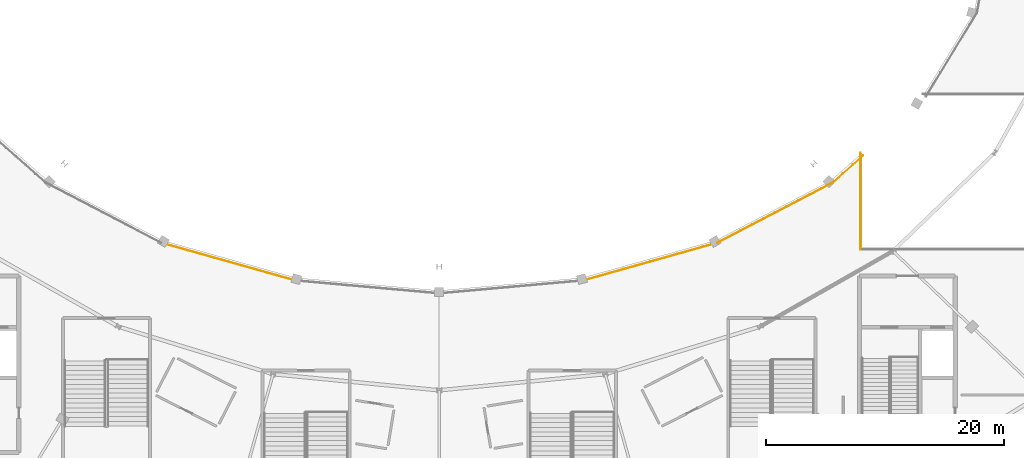
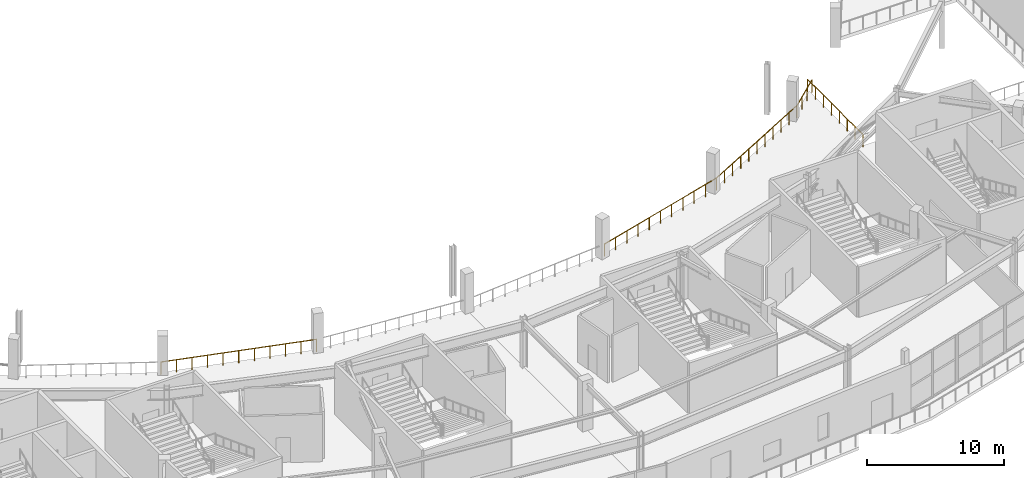
# One storey, part 110 of 123: 5 railings.
"""IFC4 building model written with IfcOpenShell, lengths in metres."""

import ifcopenshell
import ifcopenshell.guid

model = None  # the IFC model being written
_history = None  # IfcOwnerHistory: only IFC2X3 demands one
_inside = {}  # id of a spatial element -> (the spatial element, [elements in it])
_under = {}  # id of a project, library or spatial element -> (it, [spatial elements below it])
_declared = {}  # id of a project -> (the project, [libraries it declares])
_typed = {}  # id of a type object -> (the type object, [elements of that type])
_made_of = {}  # id of a material, layer set ... -> (it, [elements and type objects made of it])


def new_model(schema):
    """Start an empty IFC model of exactly this schema.

    Asked for "IFC4X3", IfcOpenShell would pick the latest addendum, in which some entities
    have other attributes; the version numbers below select the first issue.
    IFC2X3 requires an IfcOwnerHistory on every rooted entity: one is made here for all.
    """
    global model, _history
    if schema == "IFC4X3":
        model = ifcopenshell.file(schema_version=(4, 3, 0, 0))
    else:
        model = ifcopenshell.file(schema=schema)
    _inside.clear()
    _under.clear()
    _declared.clear()
    _typed.clear()
    _made_of.clear()
    _history = None
    if model.schema == "IFC2X3":
        org = make("IfcOrganization", Name="unknown")
        user = make(
            "IfcPersonAndOrganization",
            ThePerson=make("IfcPerson", FamilyName="unknown"),
            TheOrganization=org,
        )
        app = make(
            "IfcApplication",
            ApplicationDeveloper=org,
            Version="unknown",
            ApplicationFullName="unknown",
            ApplicationIdentifier="unknown",
        )
        _history = make(
            "IfcOwnerHistory",
            OwningUser=user,
            OwningApplication=app,
            ChangeAction="ADDED",
            CreationDate=0,
        )
    return model


def make(cls, **values):
    """One entity of the class cls with the attributes given. An attribute that is None is left unset."""
    return model.create_entity(
        cls, **{name: value for name, value in values.items() if value is not None}
    )


def rooted(cls, **values):
    """An entity with a GlobalId (a new one), such as an element, a storey or a relation."""
    return make(cls, GlobalId=ifcopenshell.guid.new(), OwnerHistory=_history, **values)


def si_unit(unit_type, name, prefix=None):
    """IfcSIUnit, for example si_unit("LENGTHUNIT", "METRE", prefix="MILLI")."""
    return make("IfcSIUnit", UnitType=unit_type, Prefix=prefix, Name=name)


def assignment(units):
    """IfcUnitAssignment: the units of a project."""
    return None if units is None else make("IfcUnitAssignment", Units=units)


def point(xyz):
    """IfcCartesianPoint."""
    return None if xyz is None else make("IfcCartesianPoint", Coordinates=xyz)


def direction(xyz):
    """IfcDirection."""
    return None if xyz is None else make("IfcDirection", DirectionRatios=xyz)


def frame(location, z_axis=None, x_axis=None):
    """IfcAxis2Placement3D, a coordinate frame: its origin and axes. An axis left out is left unset."""
    return make(
        "IfcAxis2Placement3D",
        Location=point(location),
        Axis=direction(z_axis),
        RefDirection=direction(x_axis),
    )


def frame_2d(location, x_axis=None):
    """IfcAxis2Placement2D, a coordinate frame in the plane: its origin and x axis."""
    return make(
        "IfcAxis2Placement2D", Location=point(location), RefDirection=direction(x_axis)
    )


def origin():
    """The frame at (0, 0, 0) with its axes left unset."""
    return frame((0.0, 0.0, 0.0))


def origin_2d():
    """The frame at (0, 0) in the plane with its x axis left unset."""
    return frame_2d((0.0, 0.0))


def place(relative_to, where):
    """IfcLocalPlacement: puts the frame where relative to a parent placement (None: the world)."""
    return make(
        "IfcLocalPlacement", PlacementRelTo=relative_to, RelativePlacement=where
    )


def context(
    kind, dimensions, precision=None, world=None, true_north=None, identifier=None
):
    """IfcGeometricRepresentationContext, for example the 3D "Model" context."""
    return make(
        "IfcGeometricRepresentationContext",
        ContextIdentifier=identifier,
        ContextType=kind,
        CoordinateSpaceDimension=dimensions,
        Precision=precision,
        WorldCoordinateSystem=world,
        TrueNorth=true_north,
    )


def subcontext(parent, identifier, kind, view, scale=None):
    """IfcGeometricRepresentationSubContext, for example "Body" below "Model"."""
    return make(
        "IfcGeometricRepresentationSubContext",
        ContextIdentifier=identifier,
        ContextType=kind,
        ParentContext=parent,
        TargetScale=scale,
        TargetView=view,
    )


def project(units=None, contexts=None):
    """IfcProject with its units and contexts."""
    return rooted(
        "IfcProject",
        Name="project",
        RepresentationContexts=contexts,
        UnitsInContext=assignment(units),
    )


def spatial(cls, under=None, at=None, **own):
    """A site, building, storey or space (cls), placed at a placement, below another one or the project."""
    s = rooted(cls, ObjectPlacement=at, **own)
    if under is not None:
        _under.setdefault(under.id(), (under, []))[1].append(s)
    return s


def profile(cls, at=None, kind="AREA", **sizes):
    """A parametric profile (cls). Its sizes go by their IFC names, for example OverallWidth=200.0."""
    return make(cls, ProfileType=kind, Position=at, **sizes)


def circle(**sizes):
    """IfcCircleProfileDef."""
    return profile("IfcCircleProfileDef", **sizes)


def extrude(swept, where, along, depth):
    """IfcExtrudedAreaSolid: the profile swept, set in the frame where, extruded along a direction by depth."""
    return make(
        "IfcExtrudedAreaSolid",
        SweptArea=swept,
        Position=where,
        ExtrudedDirection=direction(along),
        Depth=depth,
    )


def shape(context_of_items, identifier, shape_type, items):
    """IfcShapeRepresentation: the items that make up one representation, for example the "Body"."""
    return make(
        "IfcShapeRepresentation",
        ContextOfItems=context_of_items,
        RepresentationIdentifier=identifier,
        RepresentationType=shape_type,
        Items=items,
    )


def material(Name=None, Category=None):
    """IfcMaterial."""
    return make("IfcMaterial", Name=Name, Category=Category)


def made_of(thing, what):
    """Note that an element or type object is made of a material, layer set ...; save() writes the relation."""
    if what is not None:
        _made_of.setdefault(what.id(), (what, []))[1].append(thing)
    return thing


def type_object(cls, material=None, **own):
    """A type object (cls), such as IfcWallType, which elements share."""
    return made_of(rooted(cls, **own), material)


def element(
    cls,
    number,
    at=None,
    inside=None,
    cuts=None,
    type_object=None,
    material=None,
    context=None,
    identifier="Body",
    shape_type=None,
    held_by="IfcProductDefinitionShape",
    body=None,
    shapes=None,
    **own,
):
    """One element of the class cls, such as IfcWall. Its Tag is "e" and its number.

    at: its placement. inside: the storey or other place that contains it. cuts: it is an
    opening in that element (IfcRelVoidsElement). A single representation is given by context,
    identifier, shape_type and body (its items); several are given by shapes. held_by: the class
    of the entity that holds the representations. save() writes the other relations.
    """
    e = rooted(cls, Tag="e%d" % number, ObjectPlacement=at, **own)
    if body is not None:
        shapes = [shape(context, identifier, shape_type, body)]
    if shapes is not None:
        e.Representation = make(held_by, Representations=shapes)
    if inside is not None:
        _inside.setdefault(inside.id(), (inside, []))[1].append(e)
    if cuts is not None:
        rooted(
            "IfcRelVoidsElement", RelatingBuildingElement=cuts, RelatedOpeningElement=e
        )
    if type_object is not None:
        _typed.setdefault(type_object.id(), (type_object, []))[1].append(e)
    return made_of(e, material)


def aggregate(whole, parts):
    """IfcRelAggregates: a whole, such as a stair, and the parts it consists of."""
    return rooted("IfcRelAggregates", RelatingObject=whole, RelatedObjects=parts)


def save(model, path):
    """Write the relations noted so far, then the file.

    IfcRelAggregates (storeys below a building ...), IfcRelContainedInSpatialStructure (elements
    in a storey), IfcRelDefinesByType, IfcRelAssociatesMaterial and IfcRelDeclares: one each for
    every whole, place, type object, material and project.
    """
    for whole, parts in _under.values():
        aggregate(whole, parts)
    for where, things in _inside.values():
        rooted(
            "IfcRelContainedInSpatialStructure",
            RelatedElements=things,
            RelatingStructure=where,
        )
    for kind, things in _typed.values():
        rooted("IfcRelDefinesByType", RelatedObjects=things, RelatingType=kind)
    for what, things in _made_of.values():
        rooted("IfcRelAssociatesMaterial", RelatedObjects=things, RelatingMaterial=what)
    for by, libraries in _declared.values():
        rooted("IfcRelDeclares", RelatingContext=by, RelatedDefinitions=libraries)
    model.write(path)


model = new_model("IFC4")

# Units and contexts
model_context = context("Model", 3, precision=1e-05, world=origin(), true_north=direction((0.0, 1.0)))
body_context = subcontext(model_context, "Body", "Model", "MODEL_VIEW")
ifc_project = project(units=[si_unit("LENGTHUNIT", "METRE"), si_unit("AREAUNIT", "SQUARE_METRE"), si_unit("VOLUMEUNIT", "CUBIC_METRE"), si_unit("PLANEANGLEUNIT", "RADIAN"), si_unit("MASSUNIT", "GRAM", prefix="KILO")], contexts=[model_context])

# Site, building, storey
site_placement = place(None, origin())
site = spatial("IfcSite", under=ifc_project, at=site_placement, CompositionType="ELEMENT")
building_placement = place(site_placement, origin())
building = spatial("IfcBuilding", under=site, at=building_placement, Name="Kalgoora Escarpment Arena", CompositionType="ELEMENT")
storey_placement = place(building_placement, frame((0.0, 0.0, 9.89990234375)))
storey = spatial("IfcBuildingStorey", under=building, at=storey_placement, Name="L02", CompositionType="ELEMENT", Elevation=9.89990234375)

# Railings
ifc_material = material(Name="Galvanised & powdercoated tubular steel", Category="steel")
railing_type = type_object("IfcRailingType", Name="RAL-GUARD-1120", PredefinedType="GUARDRAIL", material=ifc_material)
railing_1_placement = place(storey_placement, frame((68.97509765625, 36.4169921875, 0.0)))
element("IfcRailing", 1, at=railing_1_placement, inside=storey, type_object=railing_type, Name="L02 concourse bowl balustrade 17", PredefinedType="GUARDRAIL", context=body_context, shape_type="SweptSolid", body=[
    extrude(circle(Radius=0.02392578125, at=origin_2d()), frame((0.0, 0.0, 1.09619140625), z_axis=(0.962568569832, -0.271038278425, 0.0), x_axis=(0.271038278425, 0.962568569832, 0.0)), (0.0, 0.0, 1.0), 11.73876953125),
    extrude(circle(Radius=0.02099609375, at=origin_2d()), origin(), (0.0, 0.0, 1.0), 1.072021484375),
    extrude(circle(Radius=0.02099609375, at=origin_2d()), frame((1.1298828125, -0.318115234375, 0.0)), (0.0, 0.0, 1.0), 1.072021484375),
    extrude(circle(Radius=0.02099609375, at=origin_2d()), frame((2.259765625, -0.63623046875, 0.0)), (0.0, 0.0, 1.0), 1.072021484375),
    extrude(circle(Radius=0.02099609375, at=origin_2d()), frame((3.389892578125, -0.95458984375, 0.0)), (0.0, 0.0, 1.0), 1.072021484375),
    extrude(circle(Radius=0.02099609375, at=origin_2d()), frame((4.519775390625, -1.272705078125, 0.0)), (0.0, 0.0, 1.0), 1.072021484375),
    extrude(circle(Radius=0.02099609375, at=origin_2d()), frame((5.649658203125, -1.5908203125, 0.0)), (0.0, 0.0, 1.0), 1.072021484375),
    extrude(circle(Radius=0.02099609375, at=origin_2d()), frame((6.779541015625, -1.908935546875, 0.0)), (0.0, 0.0, 1.0), 1.072021484375),
    extrude(circle(Radius=0.02099609375, at=origin_2d()), frame((7.909423828125, -2.22705078125, 0.0)), (0.0, 0.0, 1.0), 1.072021484375),
    extrude(circle(Radius=0.02099609375, at=origin_2d()), frame((9.03955078125, -2.54541015625, 0.0)), (0.0, 0.0, 1.0), 1.072021484375),
    extrude(circle(Radius=0.02099609375, at=origin_2d()), frame((10.16943359375, -2.863525390625, 0.0)), (0.0, 0.0, 1.0), 1.072021484375),
    extrude(circle(Radius=0.02099609375, at=origin_2d()), frame((11.29931640625, -3.181640625, 0.0)), (0.0, 0.0, 1.0), 1.072021484375),
])
railing_2_placement = place(storey_placement, frame((104.525634765625, 33.2353515625, 0.0)))
element("IfcRailing", 2, at=railing_2_placement, inside=storey, type_object=railing_type, Name="L02 concourse bowl balustrade 20", PredefinedType="GUARDRAIL", context=body_context, shape_type="SweptSolid", body=[
    extrude(circle(Radius=0.02392578125, at=origin_2d()), frame((0.0, 0.0, 1.09619140625), z_axis=(0.962568569832, 0.271038278425, 0.0), x_axis=(-0.271038278425, 0.962568569832, 0.0)), (0.0, 0.0, 1.0), 11.73876953125),
    extrude(circle(Radius=0.02099609375, at=origin_2d()), origin(), (0.0, 0.0, 1.0), 1.072021484375),
    extrude(circle(Radius=0.02099609375, at=origin_2d()), frame((1.1298828125, 0.318115234375, 0.0)), (0.0, 0.0, 1.0), 1.072021484375),
    extrude(circle(Radius=0.02099609375, at=origin_2d()), frame((2.259765625, 0.63623046875, 0.0)), (0.0, 0.0, 1.0), 1.072021484375),
    extrude(circle(Radius=0.02099609375, at=origin_2d()), frame((3.389892578125, 0.95458984375, 0.0)), (0.0, 0.0, 1.0), 1.072021484375),
    extrude(circle(Radius=0.02099609375, at=origin_2d()), frame((4.519775390625, 1.272705078125, 0.0)), (0.0, 0.0, 1.0), 1.072021484375),
    extrude(circle(Radius=0.02099609375, at=origin_2d()), frame((5.649658203125, 1.5908203125, 0.0)), (0.0, 0.0, 1.0), 1.072021484375),
    extrude(circle(Radius=0.02099609375, at=origin_2d()), frame((6.779541015625, 1.908935546875, 0.0)), (0.0, 0.0, 1.0), 1.072021484375),
    extrude(circle(Radius=0.02099609375, at=origin_2d()), frame((7.909423828125, 2.22705078125, 0.0)), (0.0, 0.0, 1.0), 1.072021484375),
    extrude(circle(Radius=0.02099609375, at=origin_2d()), frame((9.03955078125, 2.54541015625, 0.0)), (0.0, 0.0, 1.0), 1.072021484375),
    extrude(circle(Radius=0.02099609375, at=origin_2d()), frame((10.16943359375, 2.863525390625, 0.0)), (0.0, 0.0, 1.0), 1.072021484375),
    extrude(circle(Radius=0.02099609375, at=origin_2d()), frame((11.29931640625, 3.181640625, 0.0)), (0.0, 0.0, 1.0), 1.072021484375),
])
railing_3_placement = place(storey_placement, frame((115.824951171875, 36.4169921875, 0.0)))
element("IfcRailing", 3, at=railing_3_placement, inside=storey, type_object=railing_type, Name="L02 concourse bowl balustrade 21", PredefinedType="GUARDRAIL", context=body_context, shape_type="SweptSolid", body=[
    extrude(circle(Radius=0.02392578125, at=origin_2d()), frame((0.0, 0.0, 1.09619140625), z_axis=(0.886621438299, 0.462495865007, 0.0), x_axis=(-0.462495865007, 0.886621438299, 0.0)), (0.0, 0.0, 1.0), 10.94384765625),
    extrude(circle(Radius=0.02099609375, at=origin_2d()), origin(), (0.0, 0.0, 1.0), 1.072021484375),
    extrude(circle(Radius=0.02099609375, at=origin_2d()), frame((0.97021484375, 0.506103515625, 0.0)), (0.0, 0.0, 1.0), 1.072021484375),
    extrude(circle(Radius=0.02099609375, at=origin_2d()), frame((1.940673828125, 1.01220703125, 0.0)), (0.0, 0.0, 1.0), 1.072021484375),
    extrude(circle(Radius=0.02099609375, at=origin_2d()), frame((2.910888671875, 1.5185546875, 0.0)), (0.0, 0.0, 1.0), 1.072021484375),
    extrude(circle(Radius=0.02099609375, at=origin_2d()), frame((3.88134765625, 2.024658203125, 0.0)), (0.0, 0.0, 1.0), 1.072021484375),
    extrude(circle(Radius=0.02099609375, at=origin_2d()), frame((4.8515625, 2.53076171875, 0.0)), (0.0, 0.0, 1.0), 1.072021484375),
    extrude(circle(Radius=0.02099609375, at=origin_2d()), frame((5.82177734375, 3.036865234375, 0.0)), (0.0, 0.0, 1.0), 1.072021484375),
    extrude(circle(Radius=0.02099609375, at=origin_2d()), frame((6.792236328125, 3.54296875, 0.0)), (0.0, 0.0, 1.0), 1.072021484375),
    extrude(circle(Radius=0.02099609375, at=origin_2d()), frame((7.762451171875, 4.04931640625, 0.0)), (0.0, 0.0, 1.0), 1.072021484375),
    extrude(circle(Radius=0.02099609375, at=origin_2d()), frame((8.73291015625, 4.555419921875, 0.0)), (0.0, 0.0, 1.0), 1.072021484375),
    extrude(circle(Radius=0.02099609375, at=origin_2d()), frame((9.703125, 5.0615234375, 0.0)), (0.0, 0.0, 1.0), 1.072021484375),
])
railing_4_placement = place(storey_placement, frame((125.528076171875, 41.478515625, 0.0)))
element("IfcRailing", 4, at=railing_4_placement, inside=storey, type_object=railing_type, Name="L02 concourse bowl balustrade 22", PredefinedType="GUARDRAIL", context=body_context, shape_type="SweptSolid", body=[
    extrude(circle(Radius=0.02392578125, at=origin_2d()), frame((0.0, 0.0, 1.09619140625), z_axis=(0.74849475117, 0.663140714683, 0.0), x_axis=(-0.663140714683, 0.74849475117, 0.0)), (0.0, 0.0, 1.0), 3.409423828125),
    extrude(circle(Radius=0.02099609375, at=origin_2d()), origin(), (0.0, 0.0, 1.0), 1.072021484375),
    extrude(circle(Radius=0.02099609375, at=origin_2d()), frame((0.8505859375, 0.753662109375, 0.0)), (0.0, 0.0, 1.0), 1.072021484375),
    extrude(circle(Radius=0.02099609375, at=origin_2d()), frame((1.701416015625, 1.50732421875, 0.0)), (0.0, 0.0, 1.0), 1.072021484375),
    extrude(circle(Radius=0.02099609375, at=origin_2d()), frame((2.552001953125, 2.260986328125, 0.0)), (0.0, 0.0, 1.0), 1.072021484375),
])
railing_5_placement = place(storey_placement, frame((127.85009765625, 43.970458984375, 0.0)))
element("IfcRailing", 5, at=railing_5_placement, inside=storey, type_object=railing_type, Name="L02 practice court void balustrade W", PredefinedType="GUARDRAIL", context=body_context, shape_type="SweptSolid", body=[
    extrude(circle(Radius=0.02392578125, at=origin_2d()), frame((0.0, 0.0, 1.09619140625), z_axis=(0.0, -1.0, 0.0), x_axis=(1.0, 0.0, 0.0)), (0.0, 0.0, 1.0), 8.120361328125),
    extrude(circle(Radius=0.02099609375, at=origin_2d()), origin(), (0.0, 0.0, 1.0), 1.072021484375),
    extrude(circle(Radius=0.02099609375, at=origin_2d()), frame((0.0, -1.16015625, 0.0)), (0.0, 0.0, 1.0), 1.072021484375),
    extrude(circle(Radius=0.02099609375, at=origin_2d()), frame((0.0, -2.320068359375, 0.0)), (0.0, 0.0, 1.0), 1.072021484375),
    extrude(circle(Radius=0.02099609375, at=origin_2d()), frame((0.0, -3.480224609375, 0.0)), (0.0, 0.0, 1.0), 1.072021484375),
    extrude(circle(Radius=0.02099609375, at=origin_2d()), frame((0.0, -4.64013671875, 0.0)), (0.0, 0.0, 1.0), 1.072021484375),
    extrude(circle(Radius=0.02099609375, at=origin_2d()), frame((0.0, -5.80029296875, 0.0)), (0.0, 0.0, 1.0), 1.072021484375),
    extrude(circle(Radius=0.02099609375, at=origin_2d()), frame((0.0, -6.960205078125, 0.0)), (0.0, 0.0, 1.0), 1.072021484375),
    extrude(circle(Radius=0.02099609375, at=origin_2d()), frame((0.0, -8.120361328125, 0.0)), (0.0, 0.0, 1.0), 1.072021484375),
])

save(model, "model.ifc")
